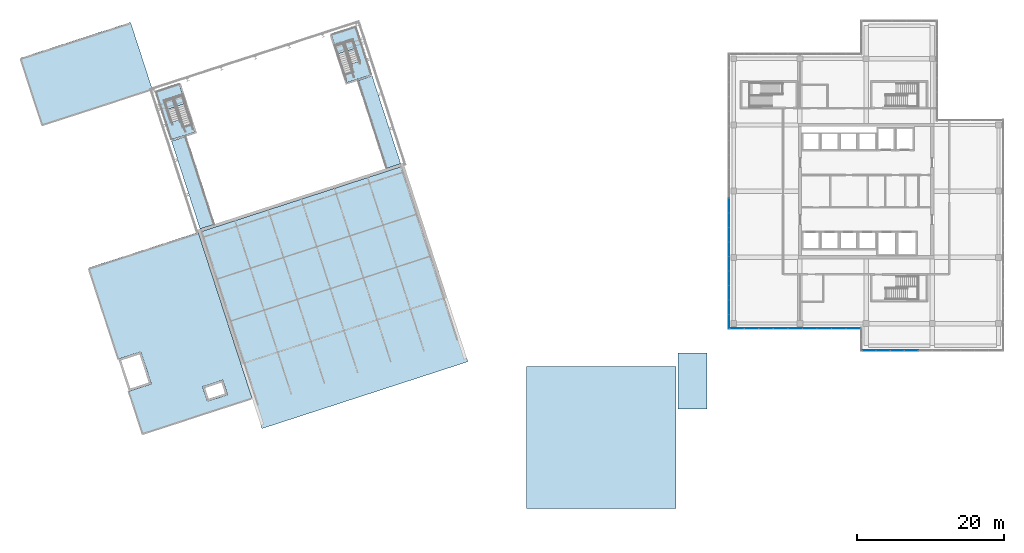
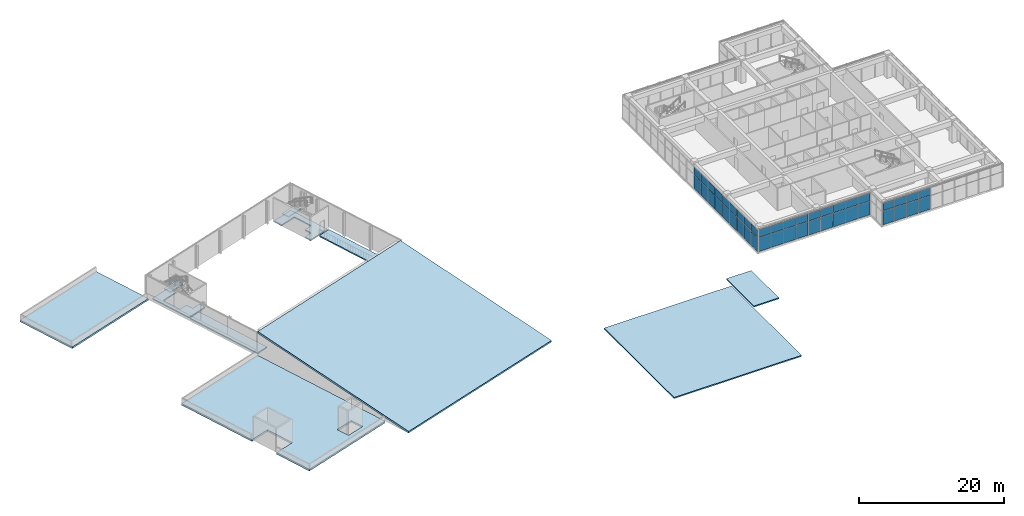
# One storey, part 43 of 55: 44 plates, 11 slabs, 5 elements without a shape of their own.
"""IFC4 building model written with IfcOpenShell, lengths in metres."""

from ifc_helpers import new_model, si_unit, direction, frame, origin, origin_2d, place, context, subcontext, project, spatial, polyline, rectangle, outline, extrude, material, layer, layer_set, type_object, element, aggregate, save


model = new_model("IFC4")

# Units and contexts
model_context = context("Model", 3, precision=1e-05, world=origin(), true_north=direction((0.0, 1.0)))
body_context = subcontext(model_context, "Body", "Model", "MODEL_VIEW")
ifc_project = project(units=[si_unit("LENGTHUNIT", "METRE"), si_unit("AREAUNIT", "SQUARE_METRE"), si_unit("VOLUMEUNIT", "CUBIC_METRE"), si_unit("PLANEANGLEUNIT", "RADIAN"), si_unit("MASSUNIT", "GRAM", prefix="KILO")], contexts=[model_context])

# Site, building, storey
site_placement = place(None, origin())
site = spatial("IfcSite", under=ifc_project, at=site_placement, CompositionType="ELEMENT")
building_placement = place(site_placement, origin())
building = spatial("IfcBuilding", under=site, at=building_placement, Name="Tuart Plaza Theatre", CompositionType="ELEMENT")
storey_placement = place(building_placement, frame((0.0, 0.0, 21.5)))
storey = spatial("IfcBuildingStorey", under=building, at=storey_placement, Name="L05", CompositionType="ELEMENT", Elevation=21.5)

# Curtain wall, plates
ifc_material_1 = material(Name="Aluminium and glass", Category="aluminium")
ifc_layer_1 = layer(ifc_material_1, 0.10009765625)
ifc_layer_set_1 = layer_set([ifc_layer_1], Name="CURTAIN WALL 2000 module")
curtain_wall_type = type_object("IfcCurtainWallType", Name="CURTAIN WALL 2000 module", PredefinedType="NOTDEFINED", material=ifc_layer_set_1)
curtain_wall_1_placement = place(storey_placement, origin())
curtain_wall_1 = element("IfcCurtainWall", 1, at=curtain_wall_1_placement, inside=storey, type_object=curtain_wall_type, Name="CW76", PredefinedType="NOTDEFINED")
ifc_material_2 = material(Name="Glass", Category="glass")
ifc_layer_2 = layer(ifc_material_2, 0.028076171875)
ifc_layer_set_2 = layer_set([ifc_layer_2], Name="CURTAIN PANEL double glazed 28")
plate_type_1 = type_object("IfcPlateType", Name="CURTAIN PANEL double glazed 28", PredefinedType="CURTAIN_PANEL", material=ifc_layer_set_2)
plate_1_placement = place(storey_placement, frame((132.41748046875, 52.35009765625, 0.0498046875), z_axis=(0.0, 0.0, 1.0), x_axis=(1.0, 0.0, 0.0)))
plate_1 = element("IfcPlate", 2, at=plate_1_placement, type_object=plate_type_1, Name="CW76 panel 1.1", PredefinedType="CURTAIN_PANEL", context=body_context, shape_type="SweptSolid", body=[
    extrude(rectangle(XDim=1.8349609375, YDim=0.028076171875, at=origin_2d()), origin(), (0.0, 0.0, 1.0), 2.324951171875),
])
plate_2_placement = place(storey_placement, frame((132.41748046875, 52.35009765625, 2.425048828125), z_axis=(0.0, 0.0, 1.0), x_axis=(1.0, 0.0, 0.0)))
plate_2 = element("IfcPlate", 3, at=plate_2_placement, type_object=plate_type_1, Name="CW76 panel 1.2", PredefinedType="CURTAIN_PANEL", context=body_context, shape_type="SweptSolid", body=[
    extrude(rectangle(XDim=1.8349609375, YDim=0.028076171875, at=origin_2d()), origin(), (0.0, 0.0, 1.0), 1.27490234375),
])
plate_3_placement = place(storey_placement, frame((136.22509765625, 52.35009765625, 0.0498046875), z_axis=(0.0, 0.0, 1.0), x_axis=(1.0, 0.0, 0.0)))
plate_3 = element("IfcPlate", 4, at=plate_3_placement, type_object=plate_type_1, Name="CW76 panel 3.1", PredefinedType="CURTAIN_PANEL", context=body_context, shape_type="SweptSolid", body=[
    extrude(rectangle(XDim=1.860107421875, YDim=0.028076171875, at=origin_2d()), origin(), (0.0, 0.0, 1.0), 2.324951171875),
])
plate_4_placement = place(storey_placement, frame((136.22509765625, 52.35009765625, 2.425048828125), z_axis=(0.0, 0.0, 1.0), x_axis=(1.0, 0.0, 0.0)))
plate_4 = element("IfcPlate", 5, at=plate_4_placement, type_object=plate_type_1, Name="CW76 panel 3.2", PredefinedType="CURTAIN_PANEL", context=body_context, shape_type="SweptSolid", body=[
    extrude(rectangle(XDim=1.860107421875, YDim=0.028076171875, at=origin_2d()), origin(), (0.0, 0.0, 1.0), 1.27490234375),
])
plate_5_placement = place(storey_placement, frame((138.135009765625, 52.35009765625, 0.0498046875), z_axis=(0.0, 0.0, 1.0), x_axis=(1.0, 0.0, 0.0)))
plate_5 = element("IfcPlate", 6, at=plate_5_placement, type_object=plate_type_1, Name="CW76 panel 4.1", PredefinedType="CURTAIN_PANEL", context=body_context, shape_type="SweptSolid", body=[
    extrude(rectangle(XDim=1.860107421875, YDim=0.028076171875, at=origin_2d()), origin(), (0.0, 0.0, 1.0), 2.324951171875),
])
plate_6_placement = place(storey_placement, frame((138.135009765625, 52.35009765625, 2.425048828125), z_axis=(0.0, 0.0, 1.0), x_axis=(1.0, 0.0, 0.0)))
plate_6 = element("IfcPlate", 7, at=plate_6_placement, type_object=plate_type_1, Name="CW76 panel 4.2", PredefinedType="CURTAIN_PANEL", context=body_context, shape_type="SweptSolid", body=[
    extrude(rectangle(XDim=1.860107421875, YDim=0.028076171875, at=origin_2d()), origin(), (0.0, 0.0, 1.0), 1.27490234375),
])

curtain_wall_2_placement = place(storey_placement, origin())
curtain_wall_2 = element("IfcCurtainWall", 8, at=curtain_wall_2_placement, inside=storey, type_object=curtain_wall_type, Name="CW86", PredefinedType="NOTDEFINED")
plate_7_placement = place(storey_placement, frame((113.35009765625, 72.0263671875, 0.0498046875), z_axis=(0.0, 0.0, 1.0), x_axis=(0.0, -1.0, 0.0)))
plate_7 = element("IfcPlate", 9, at=plate_7_placement, type_object=plate_type_1, Name="CW86 panel 11.1", PredefinedType="CURTAIN_PANEL", context=body_context, shape_type="SweptSolid", body=[
    extrude(rectangle(XDim=1.923583984375, YDim=0.028076171875, at=origin_2d()), origin(), (0.0, 0.0, 1.0), 2.324951171875),
])
plate_8_placement = place(storey_placement, frame((113.35009765625, 72.0263671875, 2.425048828125), z_axis=(0.0, 0.0, 1.0), x_axis=(0.0, -1.0, 0.0)))
plate_8 = element("IfcPlate", 10, at=plate_8_placement, type_object=plate_type_1, Name="CW86 panel 11.2", PredefinedType="CURTAIN_PANEL", context=body_context, shape_type="SweptSolid", body=[
    extrude(rectangle(XDim=1.923583984375, YDim=0.028076171875, at=origin_2d()), origin(), (0.0, 0.0, 1.0), 1.27490234375),
])
plate_9_placement = place(storey_placement, frame((113.35009765625, 70.052734375, 0.0498046875), z_axis=(0.0, 0.0, 1.0), x_axis=(0.0, -1.0, 0.0)))
plate_9 = element("IfcPlate", 11, at=plate_9_placement, type_object=plate_type_1, Name="CW86 panel 12.1", PredefinedType="CURTAIN_PANEL", context=body_context, shape_type="SweptSolid", body=[
    extrude(rectangle(XDim=1.923583984375, YDim=0.028076171875, at=origin_2d()), origin(), (0.0, 0.0, 1.0), 2.324951171875),
])
plate_10_placement = place(storey_placement, frame((113.35009765625, 70.052734375, 2.425048828125), z_axis=(0.0, 0.0, 1.0), x_axis=(0.0, -1.0, 0.0)))
plate_10 = element("IfcPlate", 12, at=plate_10_placement, type_object=plate_type_1, Name="CW86 panel 12.2", PredefinedType="CURTAIN_PANEL", context=body_context, shape_type="SweptSolid", body=[
    extrude(rectangle(XDim=1.923583984375, YDim=0.028076171875, at=origin_2d()), origin(), (0.0, 0.0, 1.0), 1.27490234375),
])
plate_11_placement = place(storey_placement, frame((113.35009765625, 68.078857421875, 0.0498046875), z_axis=(0.0, 0.0, 1.0), x_axis=(0.0, -1.0, 0.0)))
plate_11 = element("IfcPlate", 13, at=plate_11_placement, type_object=plate_type_1, Name="CW86 panel 13.1", PredefinedType="CURTAIN_PANEL", context=body_context, shape_type="SweptSolid", body=[
    extrude(rectangle(XDim=1.923583984375, YDim=0.028076171875, at=origin_2d()), origin(), (0.0, 0.0, 1.0), 2.324951171875),
])
plate_12_placement = place(storey_placement, frame((113.35009765625, 68.078857421875, 2.425048828125), z_axis=(0.0, 0.0, 1.0), x_axis=(0.0, -1.0, 0.0)))
plate_12 = element("IfcPlate", 14, at=plate_12_placement, type_object=plate_type_1, Name="CW86 panel 13.2", PredefinedType="CURTAIN_PANEL", context=body_context, shape_type="SweptSolid", body=[
    extrude(rectangle(XDim=1.923583984375, YDim=0.028076171875, at=origin_2d()), origin(), (0.0, 0.0, 1.0), 1.27490234375),
])
plate_13_placement = place(storey_placement, frame((113.35009765625, 66.105224609375, 0.0498046875), z_axis=(0.0, 0.0, 1.0), x_axis=(0.0, -1.0, 0.0)))
plate_13 = element("IfcPlate", 15, at=plate_13_placement, type_object=plate_type_1, Name="CW86 panel 14.1", PredefinedType="CURTAIN_PANEL", context=body_context, shape_type="SweptSolid", body=[
    extrude(rectangle(XDim=1.923583984375, YDim=0.028076171875, at=origin_2d()), origin(), (0.0, 0.0, 1.0), 2.324951171875),
])
plate_14_placement = place(storey_placement, frame((113.35009765625, 66.105224609375, 2.425048828125), z_axis=(0.0, 0.0, 1.0), x_axis=(0.0, -1.0, 0.0)))
plate_14 = element("IfcPlate", 16, at=plate_14_placement, type_object=plate_type_1, Name="CW86 panel 14.2", PredefinedType="CURTAIN_PANEL", context=body_context, shape_type="SweptSolid", body=[
    extrude(rectangle(XDim=1.923583984375, YDim=0.028076171875, at=origin_2d()), origin(), (0.0, 0.0, 1.0), 1.27490234375),
])
plate_15_placement = place(storey_placement, frame((113.35009765625, 64.131591796875, 0.0498046875), z_axis=(0.0, 0.0, 1.0), x_axis=(0.0, -1.0, 0.0)))
plate_15 = element("IfcPlate", 17, at=plate_15_placement, type_object=plate_type_1, Name="CW86 panel 15.1", PredefinedType="CURTAIN_PANEL", context=body_context, shape_type="SweptSolid", body=[
    extrude(rectangle(XDim=1.923583984375, YDim=0.028076171875, at=origin_2d()), origin(), (0.0, 0.0, 1.0), 2.324951171875),
])
plate_16_placement = place(storey_placement, frame((113.35009765625, 64.131591796875, 2.425048828125), z_axis=(0.0, 0.0, 1.0), x_axis=(0.0, -1.0, 0.0)))
plate_16 = element("IfcPlate", 18, at=plate_16_placement, type_object=plate_type_1, Name="CW86 panel 15.2", PredefinedType="CURTAIN_PANEL", context=body_context, shape_type="SweptSolid", body=[
    extrude(rectangle(XDim=1.923583984375, YDim=0.028076171875, at=origin_2d()), origin(), (0.0, 0.0, 1.0), 1.27490234375),
])
plate_17_placement = place(storey_placement, frame((113.35009765625, 62.157958984375, 0.0498046875), z_axis=(0.0, 0.0, 1.0), x_axis=(0.0, -1.0, 0.0)))
plate_17 = element("IfcPlate", 19, at=plate_17_placement, type_object=plate_type_1, Name="CW86 panel 16.1", PredefinedType="CURTAIN_PANEL", context=body_context, shape_type="SweptSolid", body=[
    extrude(rectangle(XDim=1.923583984375, YDim=0.028076171875, at=origin_2d()), origin(), (0.0, 0.0, 1.0), 2.324951171875),
])
plate_18_placement = place(storey_placement, frame((113.35009765625, 62.157958984375, 2.425048828125), z_axis=(0.0, 0.0, 1.0), x_axis=(0.0, -1.0, 0.0)))
plate_18 = element("IfcPlate", 20, at=plate_18_placement, type_object=plate_type_1, Name="CW86 panel 16.2", PredefinedType="CURTAIN_PANEL", context=body_context, shape_type="SweptSolid", body=[
    extrude(rectangle(XDim=1.923583984375, YDim=0.028076171875, at=origin_2d()), origin(), (0.0, 0.0, 1.0), 1.27490234375),
])
plate_19_placement = place(storey_placement, frame((113.35009765625, 60.184326171875, 0.0498046875), z_axis=(0.0, 0.0, 1.0), x_axis=(0.0, -1.0, 0.0)))
plate_19 = element("IfcPlate", 21, at=plate_19_placement, type_object=plate_type_1, Name="CW86 panel 17.1", PredefinedType="CURTAIN_PANEL", context=body_context, shape_type="SweptSolid", body=[
    extrude(rectangle(XDim=1.923583984375, YDim=0.028076171875, at=origin_2d()), origin(), (0.0, 0.0, 1.0), 2.324951171875),
])
plate_20_placement = place(storey_placement, frame((113.35009765625, 60.184326171875, 2.425048828125), z_axis=(0.0, 0.0, 1.0), x_axis=(0.0, -1.0, 0.0)))
plate_20 = element("IfcPlate", 22, at=plate_20_placement, type_object=plate_type_1, Name="CW86 panel 17.2", PredefinedType="CURTAIN_PANEL", context=body_context, shape_type="SweptSolid", body=[
    extrude(rectangle(XDim=1.923583984375, YDim=0.028076171875, at=origin_2d()), origin(), (0.0, 0.0, 1.0), 1.27490234375),
])
plate_21_placement = place(storey_placement, frame((113.35009765625, 58.21044921875, 0.0498046875), z_axis=(0.0, 0.0, 1.0), x_axis=(0.0, -1.0, 0.0)))
plate_21 = element("IfcPlate", 23, at=plate_21_placement, type_object=plate_type_1, Name="CW86 panel 18.1", PredefinedType="CURTAIN_PANEL", context=body_context, shape_type="SweptSolid", body=[
    extrude(rectangle(XDim=1.923583984375, YDim=0.028076171875, at=origin_2d()), origin(), (0.0, 0.0, 1.0), 2.324951171875),
])
plate_22_placement = place(storey_placement, frame((113.35009765625, 58.21044921875, 2.425048828125), z_axis=(0.0, 0.0, 1.0), x_axis=(0.0, -1.0, 0.0)))
plate_22 = element("IfcPlate", 24, at=plate_22_placement, type_object=plate_type_1, Name="CW86 panel 18.2", PredefinedType="CURTAIN_PANEL", context=body_context, shape_type="SweptSolid", body=[
    extrude(rectangle(XDim=1.923583984375, YDim=0.028076171875, at=origin_2d()), origin(), (0.0, 0.0, 1.0), 1.27490234375),
])
plate_23_placement = place(storey_placement, frame((113.35009765625, 56.249267578125, 0.0498046875), z_axis=(0.0, 0.0, 1.0), x_axis=(0.0, -1.0, 0.0)))
plate_23 = element("IfcPlate", 25, at=plate_23_placement, type_object=plate_type_1, Name="CW86 panel 19.1", PredefinedType="CURTAIN_PANEL", context=body_context, shape_type="SweptSolid", body=[
    extrude(rectangle(XDim=1.898681640625, YDim=0.028076171875, at=origin_2d()), origin(), (0.0, 0.0, 1.0), 2.324951171875),
])
plate_24_placement = place(storey_placement, frame((113.35009765625, 56.249267578125, 2.425048828125), z_axis=(0.0, 0.0, 1.0), x_axis=(0.0, -1.0, 0.0)))
plate_24 = element("IfcPlate", 26, at=plate_24_placement, type_object=plate_type_1, Name="CW86 panel 19.2", PredefinedType="CURTAIN_PANEL", context=body_context, shape_type="SweptSolid", body=[
    extrude(rectangle(XDim=1.898681640625, YDim=0.028076171875, at=origin_2d()), origin(), (0.0, 0.0, 1.0), 1.27490234375),
])
aggregate(curtain_wall_2, [plate_7, plate_8, plate_9, plate_10, plate_11, plate_12, plate_13, plate_14, plate_15, plate_16, plate_17, plate_18, plate_19, plate_20, plate_21, plate_22, plate_23, plate_24])

curtain_wall_3_placement = place(storey_placement, origin())
curtain_wall_3 = element("IfcCurtainWall", 27, at=curtain_wall_3_placement, inside=storey, type_object=curtain_wall_type, Name="CW87", PredefinedType="NOTDEFINED")
plate_25_placement = place(storey_placement, frame((114.451416015625, 55.35009765625, 0.0498046875), z_axis=(0.0, 0.0, 1.0), x_axis=(1.0, 0.0, 0.0)))
plate_25 = element("IfcPlate", 28, at=plate_25_placement, type_object=plate_type_1, Name="CW87 panel 1.1", PredefinedType="CURTAIN_PANEL", context=body_context, shape_type="SweptSolid", body=[
    extrude(rectangle(XDim=1.90283203125, YDim=0.028076171875, at=origin_2d()), origin(), (0.0, 0.0, 1.0), 2.324951171875),
])
plate_26_placement = place(storey_placement, frame((114.451416015625, 55.35009765625, 2.425048828125), z_axis=(0.0, 0.0, 1.0), x_axis=(1.0, 0.0, 0.0)))
plate_26 = element("IfcPlate", 29, at=plate_26_placement, type_object=plate_type_1, Name="CW87 panel 1.2", PredefinedType="CURTAIN_PANEL", context=body_context, shape_type="SweptSolid", body=[
    extrude(rectangle(XDim=1.90283203125, YDim=0.028076171875, at=origin_2d()), origin(), (0.0, 0.0, 1.0), 1.27490234375),
])
plate_27_placement = place(storey_placement, frame((116.416748046875, 55.35009765625, 0.0498046875), z_axis=(0.0, 0.0, 1.0), x_axis=(1.0, 0.0, 0.0)))
plate_27 = element("IfcPlate", 30, at=plate_27_placement, type_object=plate_type_1, Name="CW87 panel 2.1", PredefinedType="CURTAIN_PANEL", context=body_context, shape_type="SweptSolid", body=[
    extrude(rectangle(XDim=1.927734375, YDim=0.028076171875, at=origin_2d()), origin(), (0.0, 0.0, 1.0), 2.324951171875),
])
plate_28_placement = place(storey_placement, frame((116.416748046875, 55.35009765625, 2.425048828125), z_axis=(0.0, 0.0, 1.0), x_axis=(1.0, 0.0, 0.0)))
plate_28 = element("IfcPlate", 31, at=plate_28_placement, type_object=plate_type_1, Name="CW87 panel 2.2", PredefinedType="CURTAIN_PANEL", context=body_context, shape_type="SweptSolid", body=[
    extrude(rectangle(XDim=1.927734375, YDim=0.028076171875, at=origin_2d()), origin(), (0.0, 0.0, 1.0), 1.27490234375),
])
plate_29_placement = place(storey_placement, frame((118.39453125, 55.35009765625, 0.0498046875), z_axis=(0.0, 0.0, 1.0), x_axis=(1.0, 0.0, 0.0)))
plate_29 = element("IfcPlate", 32, at=plate_29_placement, type_object=plate_type_1, Name="CW87 panel 3.1", PredefinedType="CURTAIN_PANEL", context=body_context, shape_type="SweptSolid", body=[
    extrude(rectangle(XDim=1.927734375, YDim=0.028076171875, at=origin_2d()), origin(), (0.0, 0.0, 1.0), 2.324951171875),
])
plate_30_placement = place(storey_placement, frame((118.39453125, 55.35009765625, 2.425048828125), z_axis=(0.0, 0.0, 1.0), x_axis=(1.0, 0.0, 0.0)))
plate_30 = element("IfcPlate", 33, at=plate_30_placement, type_object=plate_type_1, Name="CW87 panel 3.2", PredefinedType="CURTAIN_PANEL", context=body_context, shape_type="SweptSolid", body=[
    extrude(rectangle(XDim=1.927734375, YDim=0.028076171875, at=origin_2d()), origin(), (0.0, 0.0, 1.0), 1.27490234375),
])
plate_31_placement = place(storey_placement, frame((120.372314453125, 55.35009765625, 0.0498046875), z_axis=(0.0, 0.0, 1.0), x_axis=(1.0, 0.0, 0.0)))
plate_31 = element("IfcPlate", 34, at=plate_31_placement, type_object=plate_type_1, Name="CW87 panel 4.1", PredefinedType="CURTAIN_PANEL", context=body_context, shape_type="SweptSolid", body=[
    extrude(rectangle(XDim=1.927734375, YDim=0.028076171875, at=origin_2d()), origin(), (0.0, 0.0, 1.0), 2.324951171875),
])
plate_32_placement = place(storey_placement, frame((120.372314453125, 55.35009765625, 2.425048828125), z_axis=(0.0, 0.0, 1.0), x_axis=(1.0, 0.0, 0.0)))
plate_32 = element("IfcPlate", 35, at=plate_32_placement, type_object=plate_type_1, Name="CW87 panel 4.2", PredefinedType="CURTAIN_PANEL", context=body_context, shape_type="SweptSolid", body=[
    extrude(rectangle(XDim=1.927734375, YDim=0.028076171875, at=origin_2d()), origin(), (0.0, 0.0, 1.0), 1.27490234375),
])
plate_33_placement = place(storey_placement, frame((122.35009765625, 55.35009765625, 0.0498046875), z_axis=(0.0, 0.0, 1.0), x_axis=(1.0, 0.0, 0.0)))
plate_33 = element("IfcPlate", 36, at=plate_33_placement, type_object=plate_type_1, Name="CW87 panel 5.1", PredefinedType="CURTAIN_PANEL", context=body_context, shape_type="SweptSolid", body=[
    extrude(rectangle(XDim=1.927734375, YDim=0.028076171875, at=origin_2d()), origin(), (0.0, 0.0, 1.0), 2.324951171875),
])
plate_34_placement = place(storey_placement, frame((122.35009765625, 55.35009765625, 2.425048828125), z_axis=(0.0, 0.0, 1.0), x_axis=(1.0, 0.0, 0.0)))
plate_34 = element("IfcPlate", 37, at=plate_34_placement, type_object=plate_type_1, Name="CW87 panel 5.2", PredefinedType="CURTAIN_PANEL", context=body_context, shape_type="SweptSolid", body=[
    extrude(rectangle(XDim=1.927734375, YDim=0.028076171875, at=origin_2d()), origin(), (0.0, 0.0, 1.0), 1.27490234375),
])
plate_35_placement = place(storey_placement, frame((124.327880859375, 55.35009765625, 0.0498046875), z_axis=(0.0, 0.0, 1.0), x_axis=(1.0, 0.0, 0.0)))
plate_35 = element("IfcPlate", 38, at=plate_35_placement, type_object=plate_type_1, Name="CW87 panel 6.1", PredefinedType="CURTAIN_PANEL", context=body_context, shape_type="SweptSolid", body=[
    extrude(rectangle(XDim=1.927734375, YDim=0.028076171875, at=origin_2d()), origin(), (0.0, 0.0, 1.0), 2.324951171875),
])
plate_36_placement = place(storey_placement, frame((124.327880859375, 55.35009765625, 2.425048828125), z_axis=(0.0, 0.0, 1.0), x_axis=(1.0, 0.0, 0.0)))
plate_36 = element("IfcPlate", 39, at=plate_36_placement, type_object=plate_type_1, Name="CW87 panel 6.2", PredefinedType="CURTAIN_PANEL", context=body_context, shape_type="SweptSolid", body=[
    extrude(rectangle(XDim=1.927734375, YDim=0.028076171875, at=origin_2d()), origin(), (0.0, 0.0, 1.0), 1.27490234375),
])
plate_37_placement = place(storey_placement, frame((126.3056640625, 55.35009765625, 0.0498046875), z_axis=(0.0, 0.0, 1.0), x_axis=(1.0, 0.0, 0.0)))
plate_37 = element("IfcPlate", 40, at=plate_37_placement, type_object=plate_type_1, Name="CW87 panel 7.1", PredefinedType="CURTAIN_PANEL", context=body_context, shape_type="SweptSolid", body=[
    extrude(rectangle(XDim=1.927734375, YDim=0.028076171875, at=origin_2d()), origin(), (0.0, 0.0, 1.0), 2.324951171875),
])
plate_38_placement = place(storey_placement, frame((126.3056640625, 55.35009765625, 2.425048828125), z_axis=(0.0, 0.0, 1.0), x_axis=(1.0, 0.0, 0.0)))
plate_38 = element("IfcPlate", 41, at=plate_38_placement, type_object=plate_type_1, Name="CW87 panel 7.2", PredefinedType="CURTAIN_PANEL", context=body_context, shape_type="SweptSolid", body=[
    extrude(rectangle(XDim=1.927734375, YDim=0.028076171875, at=origin_2d()), origin(), (0.0, 0.0, 1.0), 1.27490234375),
])
plate_39_placement = place(storey_placement, frame((128.283447265625, 55.35009765625, 0.0498046875), z_axis=(0.0, 0.0, 1.0), x_axis=(1.0, 0.0, 0.0)))
plate_39 = element("IfcPlate", 42, at=plate_39_placement, type_object=plate_type_1, Name="CW87 panel 8.1", PredefinedType="CURTAIN_PANEL", context=body_context, shape_type="SweptSolid", body=[
    extrude(rectangle(XDim=1.927734375, YDim=0.028076171875, at=origin_2d()), origin(), (0.0, 0.0, 1.0), 2.324951171875),
])
plate_40_placement = place(storey_placement, frame((128.283447265625, 55.35009765625, 2.425048828125), z_axis=(0.0, 0.0, 1.0), x_axis=(1.0, 0.0, 0.0)))
plate_40 = element("IfcPlate", 43, at=plate_40_placement, type_object=plate_type_1, Name="CW87 panel 8.2", PredefinedType="CURTAIN_PANEL", context=body_context, shape_type="SweptSolid", body=[
    extrude(rectangle(XDim=1.927734375, YDim=0.028076171875, at=origin_2d()), origin(), (0.0, 0.0, 1.0), 1.27490234375),
])
plate_41_placement = place(storey_placement, frame((130.24853515625, 55.35009765625, 0.0498046875), z_axis=(0.0, 0.0, 1.0), x_axis=(1.0, 0.0, 0.0)))
plate_41 = element("IfcPlate", 44, at=plate_41_placement, type_object=plate_type_1, Name="CW87 panel 9.1", PredefinedType="CURTAIN_PANEL", context=body_context, shape_type="SweptSolid", body=[
    extrude(rectangle(XDim=1.90283203125, YDim=0.028076171875, at=origin_2d()), origin(), (0.0, 0.0, 1.0), 2.324951171875),
])
plate_42_placement = place(storey_placement, frame((130.24853515625, 55.35009765625, 2.425048828125), z_axis=(0.0, 0.0, 1.0), x_axis=(1.0, 0.0, 0.0)))
plate_42 = element("IfcPlate", 45, at=plate_42_placement, type_object=plate_type_1, Name="CW87 panel 9.2", PredefinedType="CURTAIN_PANEL", context=body_context, shape_type="SweptSolid", body=[
    extrude(rectangle(XDim=1.90283203125, YDim=0.028076171875, at=origin_2d()), origin(), (0.0, 0.0, 1.0), 1.27490234375),
])
aggregate(curtain_wall_3, [plate_25, plate_26, plate_27, plate_28, plate_29, plate_30, plate_31, plate_32, plate_33, plate_34, plate_35, plate_36, plate_37, plate_38, plate_39, plate_40, plate_41, plate_42])

# Plate
ifc_material_3 = material(Name="Zinc")
ifc_layer_3 = layer(ifc_material_3, 0.028076171875)
ifc_layer_set_3 = layer_set([ifc_layer_3], Name="CURTAIN PANEL zinc 28")
plate_type_2 = type_object("IfcPlateType", Name="CURTAIN PANEL zinc 28", PredefinedType="CURTAIN_PANEL", material=ifc_layer_set_3)
plate_43_placement = place(storey_placement, frame((134.31494140625, 52.35009765625, 0.0498046875), z_axis=(0.0, 0.0, 1.0), x_axis=(1.0, 0.0, 0.0)))
plate_43 = element("IfcPlate", 46, at=plate_43_placement, type_object=plate_type_2, Name="CW76 zinc panel 2.1", PredefinedType="CURTAIN_PANEL", context=body_context, shape_type="SweptSolid", body=[
    extrude(rectangle(XDim=1.860107421875, YDim=0.028076171875, at=origin_2d()), origin(), (0.0, 0.0, 1.0), 2.324951171875),
])

plate_44_placement = place(storey_placement, frame((134.31494140625, 52.35009765625, 2.425048828125), z_axis=(0.0, 0.0, 1.0), x_axis=(1.0, 0.0, 0.0)))
plate_44 = element("IfcPlate", 47, at=plate_44_placement, type_object=plate_type_2, Name="CW76 zinc panel 2.2", PredefinedType="CURTAIN_PANEL", context=body_context, shape_type="SweptSolid", body=[
    extrude(rectangle(XDim=1.860107421875, YDim=0.028076171875, at=origin_2d()), origin(), (0.0, 0.0, 1.0), 1.27490234375),
])

aggregate(curtain_wall_1, [plate_1, plate_2, plate_43, plate_44, plate_3, plate_4, plate_5, plate_6])

# Slabs
ifc_material_4 = material(Name="Concrete N40 (40 MPa)", Category="concrete")
ifc_layer_4 = layer(ifc_material_4, 0.199951171875)
ifc_layer_set_4 = layer_set([ifc_layer_4], Name="SLAB Floor 200 Concrete N40 (40 MPa)")
slab_type_1 = type_object("IfcSlabType", Name="SLAB Floor 200 Concrete N40 (40 MPa)", PredefinedType="FLOOR", material=ifc_layer_set_4)
slab_1_placement = place(storey_placement, frame((0.0, 0.0, -0.199951171875)))
element("IfcSlab", 48, at=slab_1_placement, inside=storey, type_object=slab_type_1, Name="S8", PredefinedType="FLOOR", context=body_context, shape_type="SweptSolid", body=[
    extrude(outline(polyline([(35.45068359375, 87.50634765625), (37.559814453125, 81.015380859375), (40.721923828125, 82.042724609375), (40.38818359375, 83.06982421875), (39.114013671875, 82.65576171875), (38.75537109375, 83.759033203125), (37.4951171875, 83.349609375), (36.531005859375, 86.31689453125), (39.065673828125, 87.140380859375), (38.613037109375, 88.53369140625), (35.45068359375, 87.50634765625)])), origin(), (0.0, 0.0, 1.0), 0.199951171875),
])
slab_2_placement = place(storey_placement, frame((0.0, 0.0, -0.199951171875)))
element("IfcSlab", 49, at=slab_2_placement, inside=storey, type_object=slab_type_1, Name="S13", PredefinedType="FLOOR", context=body_context, shape_type="SweptSolid", body=[
    extrude(outline(polyline([(62.21435546875, 94.661865234375), (63.178466796875, 91.694580078125), (61.91845703125, 91.28515625), (62.27685546875, 90.181884765625), (61.07373046875, 89.791015625), (61.407470703125, 88.763916015625), (64.71240234375, 89.837646484375), (62.603271484375, 96.32861328125), (59.29833984375, 95.2548828125), (59.751220703125, 93.861572265625), (62.21435546875, 94.661865234375)])), origin(), (0.0, 0.0, 1.0), 0.199951171875),
])
slab_3_placement = place(storey_placement, frame((0.0, 0.0, -0.199951171875)))
element("IfcSlab", 50, at=slab_3_placement, inside=storey, type_object=slab_type_1, Name="S60", PredefinedType="FLOOR", context=body_context, shape_type="SweptSolid", body=[
    extrude(outline(polyline([(43.335693359375, 69.48583984375), (39.45751953125, 81.421630859375), (37.555419921875, 80.8037109375), (41.43359375, 68.867919921875), (43.335693359375, 69.48583984375)])), origin(), (0.0, 0.0, 1.0), 0.199951171875),
])
slab_4_placement = place(storey_placement, frame((0.0, 0.0, -0.199951171875)))
element("IfcSlab", 51, at=slab_4_placement, inside=storey, type_object=slab_type_1, Name="S61", PredefinedType="FLOOR", context=body_context, shape_type="SweptSolid", body=[
    extrude(outline(polyline([(68.718505859375, 77.733154296875), (64.84033203125, 89.6689453125), (62.938232421875, 89.051025390625), (66.81640625, 77.115234375), (68.718505859375, 77.733154296875)])), origin(), (0.0, 0.0, 1.0), 0.199951171875),
])
ifc_material_5 = material(Name="Concrete N40 (40 MPa)", Category="concrete")
ifc_layer_5 = layer(ifc_material_5, 0.199951171875)
ifc_layer_set_5 = layer_set([ifc_layer_5], Name="SLAB Roof 200 Concrete N40 (40 MPa)")
slab_type_2 = type_object("IfcSlabType", Name="SLAB Roof 200 Concrete N40 (40 MPa)", PredefinedType="ROOF", material=ifc_layer_set_5)
slab_5_placement = place(storey_placement, frame((0.0, 0.0, -0.199951171875)))
element("IfcSlab", 52, at=slab_5_placement, inside=storey, type_object=slab_type_2, Name="SR10", PredefinedType="ROOF", context=body_context, shape_type="SweptSolid", body=[
    extrude(outline(polyline([(106.14990234375, 30.85009765625), (106.14990234375, 50.14990234375), (85.85009765625, 50.14990234375), (85.85009765625, 30.85009765625), (106.14990234375, 30.85009765625)])), origin(), (0.0, 0.0, 1.0), 0.199951171875),
])
slab_6_placement = place(storey_placement, frame((0.0, 0.0, -0.199951171875)))
element("IfcSlab", 53, at=slab_6_placement, inside=storey, type_object=slab_type_2, Name="SR12", PredefinedType="ROOF", context=body_context, shape_type="SweptSolid", body=[
    extrude(outline(polyline([(110.360107421875, 44.39990234375), (110.360107421875, 52.0), (106.39990234375, 52.0), (106.39990234375, 44.39990234375), (110.360107421875, 44.39990234375)])), origin(), (0.0, 0.0, 1.0), 0.199951171875),
])
ifc_material_6 = material(Name="Concrete N40 (40 MPa)", Category="concrete")
ifc_layer_6 = layer(ifc_material_6, 0.300048828125)
ifc_layer_set_6 = layer_set([ifc_layer_6], Name="SLAB Roof 300 Concrete N40 (40 MPa)")
slab_type_3 = type_object("IfcSlabType", Name="SLAB Roof 300 Concrete N40 (40 MPa)", PredefinedType="ROOF", material=ifc_layer_set_6)
slab_7_placement = place(storey_placement, frame((0.0, 0.0, -0.300048828125)))
element("IfcSlab", 54, at=slab_7_placement, inside=storey, type_object=slab_type_3, Name="SR6", PredefinedType="ROOF", context=body_context, shape_type="SweptSolid", body=[
    extrude(outline(polyline([(33.643310546875, 41.049072265625), (48.503662109375, 45.87744140625), (41.179931640625, 68.41748046875), (26.319580078125, 63.589111328125), (30.352294921875, 51.177734375), (33.395751953125, 52.16650390625), (34.817138671875, 47.791748046875), (31.773681640625, 46.802978515625), (33.643310546875, 41.049072265625)]), holes=[polyline([(44.529541015625, 48.31884765625), (41.771484375, 47.422607421875), (42.42041015625, 45.425537109375), (45.178466796875, 46.321533203125), (44.529541015625, 48.31884765625)])]), origin(), (0.0, 0.0, 1.0), 0.300048828125),
])
slab_8_placement = place(storey_placement, frame((0.0, 0.0, -0.300048828125)))
element("IfcSlab", 55, at=slab_8_placement, inside=storey, type_object=slab_type_3, Name="SR7", PredefinedType="ROOF", context=body_context, shape_type="SweptSolid", body=[
    extrude(outline(polyline([(34.978271484375, 87.7470703125), (31.980712890625, 96.97216796875), (17.049072265625, 92.12060546875), (20.046630859375, 82.8955078125), (34.978271484375, 87.7470703125)])), origin(), (0.0, 0.0, 1.0), 0.300048828125),
])
slab_9_placement = place(storey_placement, frame((49.85546875, 41.716552734375, 0.300048828125), z_axis=(0.040446544664, -0.124481413424, 0.991397223486), x_axis=(0.951056722039, 0.30901636116, -1.66208e-07)))
element("IfcSlab", 56, at=slab_9_placement, inside=storey, type_object=slab_type_3, Name="SR8", PredefinedType="ROOF", context=body_context, shape_type="SweptSolid", body=[
    extrude(outline(polyline([(0.0, 0.0), (29.450177064890767, 0.0), (29.449956498673153, 28.268209303601953), (1.1625364915714097e-05, 28.268134509182577), (0.0, 0.0)])), origin(), (0.0, 0.0, -1.0), 0.300048828125),
])

# Stair, slab
ifc_material_7 = material(Name="Concrete N40 (40 MPa)", Category="concrete")
stair_type = type_object("IfcStairType", Name="STAIR half turn 1200", PredefinedType="HALF_TURN_STAIR", material=ifc_material_7)
stair_1_placement = place(storey_placement, origin())
stair_1 = element("IfcStair", 57, at=stair_1_placement, inside=storey, type_object=stair_type, Name="SA-4", PredefinedType="HALF_TURN_STAIR")
ifc_material_8 = material(Name="Concrete N40 (40 MPa)", Category="concrete")
ifc_layer_7 = layer(ifc_material_8, 0.199951171875)
ifc_layer_set_7 = layer_set([ifc_layer_7], Name="STAIR LANDING 200")
slab_type_4 = type_object("IfcSlabType", Name="STAIR LANDING 200", PredefinedType="LANDING", material=ifc_layer_set_7)
slab_10_placement = place(storey_placement, frame((0.0, 0.0, 1.800048828125)))
slab_10 = element("IfcSlab", 58, at=slab_10_placement, type_object=slab_type_4, Name="SA-4 landing 1", PredefinedType="LANDING", context=body_context, shape_type="SweptSolid", body=[
    extrude(outline(polyline([(39.459228515625, 85.92236328125), (39.0791015625, 87.09228515625), (36.593994140625, 86.284912109375), (36.97412109375, 85.114990234375), (39.459228515625, 85.92236328125)])), origin(), (0.0, 0.0, 1.0), 0.199951171875),
])
aggregate(stair_1, [slab_10])

stair_2_placement = place(storey_placement, origin())
stair_2 = element("IfcStair", 59, at=stair_2_placement, inside=storey, type_object=stair_type, Name="SA-5", PredefinedType="HALF_TURN_STAIR")
slab_11_placement = place(storey_placement, frame((0.0, 0.0, 1.800048828125)))
slab_11 = element("IfcSlab", 60, at=slab_11_placement, type_object=slab_type_4, Name="SA-5 landing 1", PredefinedType="LANDING", context=body_context, shape_type="SweptSolid", body=[
    extrude(outline(polyline([(60.13720703125, 92.64111328125), (59.757080078125, 93.81103515625), (62.182373046875, 94.598876953125), (62.5625, 93.42919921875), (60.13720703125, 92.64111328125)])), origin(), (0.0, 0.0, 1.0), 0.199951171875),
])
aggregate(stair_2, [slab_11])

save(model, "model.ifc")
